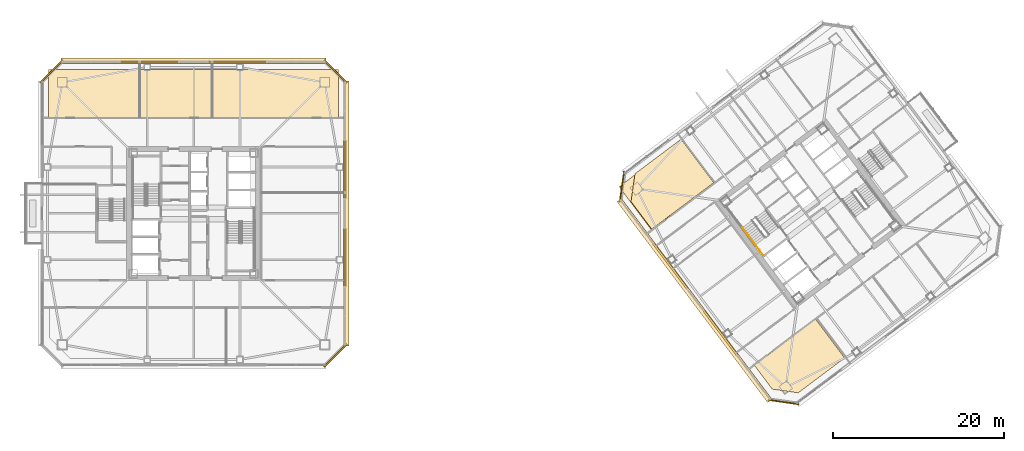
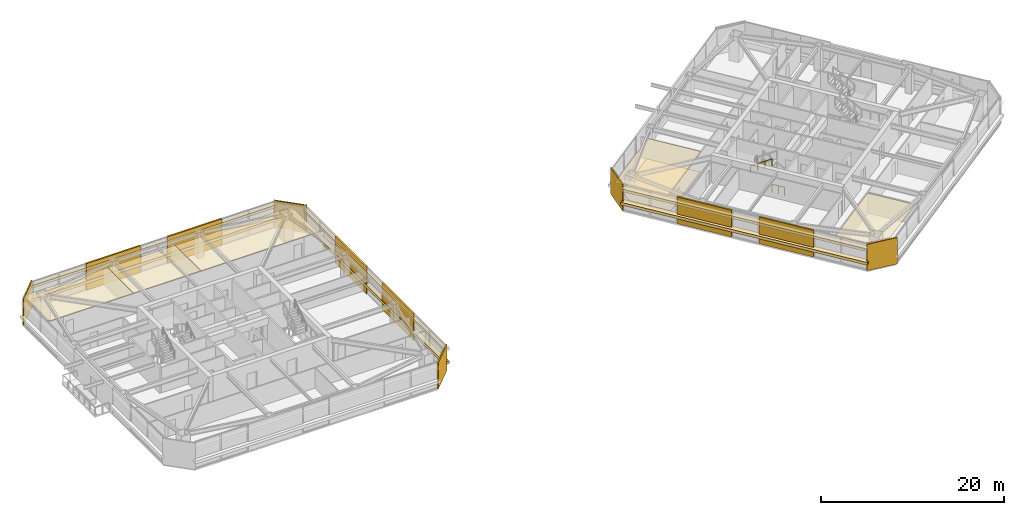
# One storey, part 40 of 43: 23 coverings, 2 railings.
"""IFC4 building model written with IfcOpenShell, lengths in metres."""

from ifc_helpers import new_model, si_unit, direction, frame, origin, origin_2d, place, context, subcontext, project, spatial, polyline, rectangle, outline, extrude, material, layer, layer_set, type_object, element, save


model = new_model("IFC4")

# Units and contexts
model_context = context("Model", 3, precision=1e-05, world=origin(), true_north=direction((0.0, 1.0)))
body_context = subcontext(model_context, "Body", "Model", "MODEL_VIEW")
ifc_project = project(units=[si_unit("LENGTHUNIT", "METRE"), si_unit("AREAUNIT", "SQUARE_METRE"), si_unit("VOLUMEUNIT", "CUBIC_METRE"), si_unit("PLANEANGLEUNIT", "RADIAN"), si_unit("MASSUNIT", "GRAM", prefix="KILO")], contexts=[model_context])

# Site, building, storey
site_placement = place(None, origin())
site = spatial("IfcSite", under=ifc_project, at=site_placement, CompositionType="ELEMENT")
building_placement = place(site_placement, origin())
building = spatial("IfcBuilding", under=site, at=building_placement, Name="Tashvorn Skyway Center", CompositionType="ELEMENT")
storey_placement = place(building_placement, frame((0.0, 0.0, 185.39990234375)))
storey = spatial("IfcBuildingStorey", under=building, at=storey_placement, Name="L50", CompositionType="ELEMENT", Elevation=185.39990234375)

# Coverings
ifc_material_1 = material(Name="Precast concrete C40/50", Category="concrete")
ifc_layer_1 = layer(ifc_material_1, 0.199951171875)
ifc_layer_set_1 = layer_set([ifc_layer_1], Name="Precast concrete C40/50")
covering_type_1 = type_object("IfcCoveringType", Name="COV-BRACE-CLAD", PredefinedType="CLADDING", material=ifc_layer_set_1)
for number, where, z_axis, x_axis, name in (
    (1, (36.873291015625, 49.679931640625, 0.0), (0.0, 0.0, 1.0), (1.0, 0.0, 0.0), "Tower 1 L50 North Unitised Curtain Wall Mega-Brace Cladding Band 1"),
    (2, (47.126708984375, 49.679931640625, 0.0), (0.0, 0.0, 1.0), (1.0, 0.0, 0.0), "Tower 1 L50 North Unitised Curtain Wall Mega-Brace Cladding Band 2"),
    (3, (59.679931640625, 37.126708984375, 0.0), (0.0, 0.0, 1.0), (0.0, -1.0, 0.0), "Tower 1 L50 East Unitised Curtain Wall Mega-Brace Cladding Band 1"),
    (4, (59.679931640625, 26.873291015625, 0.0), (0.0, 0.0, 1.0), (0.0, -1.0, 0.0), "Tower 1 L50 East Unitised Curtain Wall Mega-Brace Cladding Band 2"),
):
    element("IfcCovering", number, at=place(storey_placement, frame(where, z_axis=z_axis, x_axis=x_axis)), inside=storey, type_object=covering_type_1, Name=name, PredefinedType="CLADDING", context=body_context, shape_type="SweptSolid", body=[
        extrude(rectangle(XDim=6.83544921875, YDim=0.199951171875, at=origin_2d()), origin(), (0.0, 0.0, 1.0), 3.550048828125),
    ])
for number, where, z_axis, x_axis, name in (
    (5, (103.491943359375, 18.0439453125, 0.0), (0.0, 0.0, 1.0), (-0.600000004945, 0.799999996291, 0.0), "Tower 2 L50 West Unitised Curtain Wall Mega-Brace Cladding Band 1"),
    (6, (97.659912109375, 25.820068359375, 0.0), (0.0, 0.0, 1.0), (-0.600000004945, 0.799999996291, 0.0), "Tower 2 L50 West Unitised Curtain Wall Mega-Brace Cladding Band 2"),
):
    element("IfcCovering", number, at=place(storey_placement, frame(where, z_axis=z_axis, x_axis=x_axis)), inside=storey, type_object=covering_type_1, Name=name, PredefinedType="CLADDING", context=body_context, shape_type="SweptSolid", body=[
        extrude(rectangle(XDim=6.47998046875, YDim=0.199951171875, at=origin_2d()), origin(), (0.0, 0.0, 1.0), 3.550048828125),
    ])
ifc_material_2 = material(Name="Mineral-fibre acoustic ceiling tile on suspended grid")
ifc_layer_2 = layer(ifc_material_2, 0.02001953125)
ifc_layer_set_2 = layer_set([ifc_layer_2], Name="Mineral-fibre acoustic ceiling tile on suspended grid")
covering_type_2 = type_object("IfcCoveringType", Name="COV-CEIL-20", PredefinedType="CEILING", material=ifc_layer_set_2)
covering_1_placement = place(storey_placement, frame((0.0, 0.0, 2.703125)))
element("IfcCovering", 7, at=covering_1_placement, inside=storey, type_object=covering_type_2, Name="Tower 1 L50 Executive Study Lounge Acoustic Ceiling", PredefinedType="CEILING", context=body_context, shape_type="SweptSolid", body=[
    extrude(outline(polyline([(25.10009765625, 43.14990234375), (35.699951171875, 43.14990234375), (35.699951171875, 48.800048828125), (25.10009765625, 48.800048828125), (25.10009765625, 43.14990234375)])), origin(), (0.0, 0.0, 1.0), 0.02001953125),
])
covering_2_placement = place(storey_placement, frame((0.0, 0.0, 2.703125)))
element("IfcCovering", 8, at=covering_2_placement, inside=storey, type_object=covering_type_2, Name="Tower 1 L50 Executive Study Lounge Acoustic Ceiling", PredefinedType="CEILING", context=body_context, shape_type="SweptSolid", body=[
    extrude(outline(polyline([(35.699951171875, 43.14990234375), (44.199951171875, 43.14990234375), (44.199951171875, 48.800048828125), (35.699951171875, 48.800048828125), (35.699951171875, 43.14990234375)])), origin(), (0.0, 0.0, 1.0), 0.02001953125),
])
covering_3_placement = place(storey_placement, frame((0.0, 0.0, 2.703125)))
element("IfcCovering", 9, at=covering_3_placement, inside=storey, type_object=covering_type_2, Name="Tower 1 L50 Staff Fitness Club Acoustic Ceiling", PredefinedType="CEILING", context=body_context, shape_type="SweptSolid", body=[
    extrude(outline(polyline([(44.199951171875, 43.14990234375), (58.89990234375, 43.14990234375), (58.89990234375, 48.800048828125), (44.199951171875, 48.800048828125), (44.199951171875, 43.14990234375)])), origin(), (0.0, 0.0, 1.0), 0.02001953125),
])
covering_4_placement = place(storey_placement, frame((0.0, 0.0, 2.703125)))
element("IfcCovering", 10, at=covering_4_placement, inside=storey, type_object=covering_type_2, Name="Tower 2 L50 Gallery Showroom Acoustic Ceiling", PredefinedType="CEILING", context=body_context, shape_type="SweptSolid", body=[
    extrude(outline(polyline([(95.4580078125, 30.055908203125), (102.818115234375, 35.575927734375), (99.02001953125, 40.639892578125), (91.659912109375, 35.1201171875), (95.4580078125, 30.055908203125)])), origin(), (0.0, 0.0, 1.0), 0.02001953125),
])
covering_5_placement = place(storey_placement, frame((0.0, 0.0, 2.703125)))
element("IfcCovering", 11, at=covering_5_placement, inside=storey, type_object=covering_type_2, Name="Tower 2 L50 Gallery Showroom Acoustic Ceiling", PredefinedType="CEILING", context=body_context, shape_type="SweptSolid", body=[
    extrude(outline(polyline([(107.43994140625, 14.280029296875), (114.60791015625, 19.656005859375), (117.991943359375, 15.14404296875), (112.552001953125, 11.06396484375), (109.528076171875, 11.49609375), (107.43994140625, 14.280029296875)])), origin(), (0.0, 0.0, 1.0), 0.02001953125),
])
ifc_material_3 = material(Name="Polished Mojave desert-aggregate terrazzo and cover plate")
ifc_layer_3 = layer(ifc_material_3, 0.0400390625)
ifc_layer_set_3 = layer_set([ifc_layer_3], Name="Polished Mojave desert-aggregate terrazzo and cover plate")
covering_type_3 = type_object("IfcCoveringType", Name="COV-FLR-40", PredefinedType="FLOORING", material=ifc_layer_set_3)
covering_6_placement = place(storey_placement, origin())
element("IfcCovering", 12, at=covering_6_placement, inside=storey, type_object=covering_type_3, Name="Tower 2 L50 Gallery Showroom Finish Flooring", PredefinedType="FLOORING", context=body_context, shape_type="SweptSolid", body=[
    extrude(outline(polyline([(102.7060546875, 35.592041015625), (95.47412109375, 30.16796875), (93.055908203125, 33.39208984375), (93.52001953125, 36.639892578125), (98.89599609375, 40.672119140625), (102.7060546875, 35.592041015625)])), origin(), (0.0, 0.0, 1.0), 0.0400390625),
])
ifc_material_4 = material(Name="Perforated ceramic-coated bronze aluminium solar screen", Category="aluminium")
ifc_layer_4 = layer(ifc_material_4, 0.85009765625)
ifc_layer_set_4 = layer_set([ifc_layer_4], Name="Perforated ceramic-coated bronze aluminium solar screen")
covering_type_4 = type_object("IfcCoveringType", Name="COV-SOLAR-BAND", PredefinedType="CLADDING", material=ifc_layer_set_4)
for number, where, z_axis, x_axis, name in (
    (13, (42.0, 49.820068359375, 0.919921875), (0.0, 0.0, 1.0), (1.0, 0.0, 0.0), "L50 Perforated Ceramic-Metal Solar Screen Louvre Band North 1"),
    (14, (42.0, 49.820068359375, 2.72021484375), (0.0, 0.0, 1.0), (1.0, 0.0, 0.0), "L50 Perforated Ceramic-Metal Solar Screen Louvre Band North 2"),
    (15, (59.820068359375, 32.0, 0.919921875), (0.0, 0.0, 1.0), (0.0, -1.0, 0.0), "L50 Perforated Ceramic-Metal Solar Screen Louvre Band East 1"),
    (16, (59.820068359375, 32.0, 2.72021484375), (0.0, 0.0, 1.0), (0.0, -1.0, 0.0), "L50 Perforated Ceramic-Metal Solar Screen Louvre Band East 2"),
):
    element("IfcCovering", number, at=place(storey_placement, frame(where, z_axis=z_axis, x_axis=x_axis)), inside=storey, type_object=covering_type_4, Name=name, PredefinedType="CLADDING", context=body_context, shape_type="SweptSolid", body=[
        extrude(rectangle(XDim=30.8798828125, YDim=0.639892578125, at=origin_2d()), origin(), (0.0, 0.0, 1.0), 0.360107421875),
    ])
for number, where, z_axis, x_axis, name in (
    (17, (100.464111328125, 21.847900390625, 0.919921875), (0.0, 0.0, 1.0), (-0.600000004945, 0.799999996291, 0.0), "L50 Perforated Ceramic-Metal Solar Screen Louvre Band West 1"),
    (18, (100.464111328125, 21.847900390625, 2.72021484375), (0.0, 0.0, 1.0), (-0.600000004945, 0.799999996291, 0.0), "L50 Perforated Ceramic-Metal Solar Screen Louvre Band West 2"),
):
    element("IfcCovering", number, at=place(storey_placement, frame(where, z_axis=z_axis, x_axis=x_axis)), inside=storey, type_object=covering_type_4, Name=name, PredefinedType="CLADDING", context=body_context, shape_type="SweptSolid", body=[
        extrude(rectangle(XDim=29.280029296875, YDim=0.639892578125, at=origin_2d()), origin(), (0.0, 0.0, 1.0), 0.360107421875),
    ])
ifc_layer_5 = layer(ifc_material_1, 0.35009765625)
ifc_layer_set_5 = layer_set([ifc_layer_5], Name="Precast concrete C40/50")
covering_type_5 = type_object("IfcCoveringType", Name="COV-STONE-TRIM", PredefinedType="CLADDING", material=ifc_layer_set_5)
for number, where, z_axis, x_axis, name in (
    (19, (25.429931640625, 48.570068359375, 0.02001953125), (0.0, 0.0, 1.0), (-0.707106781187, -0.707106781187, 0.0), "Tower 1 L50 NW Mojave Limestone Corner Quoin"),
    (20, (58.570068359375, 48.570068359375, 0.02001953125), (0.0, 0.0, 1.0), (0.707106781187, -0.707106781187, 0.0), "Tower 1 L50 NE Mojave Limestone Corner Quoin"),
    (21, (58.570068359375, 15.429931640625, 0.02001953125), (0.0, 0.0, 1.0), (0.707106781187, 0.707106781187, 0.0), "Tower 1 L50 SE Mojave Limestone Corner Quoin"),
):
    element("IfcCovering", number, at=place(storey_placement, frame(where, z_axis=z_axis, x_axis=x_axis)), inside=storey, type_object=covering_type_5, Name=name, PredefinedType="CLADDING", context=body_context, shape_type="SweptSolid", body=[
        extrude(rectangle(XDim=3.695556640625, YDim=0.139892578125, at=origin_2d()), origin(), (0.0, 0.0, 1.0), 3.510009765625),
    ])
for number, where, z_axis, x_axis, name in (
    (22, (110.85595703125, 9.991943359375, 0.02001953125), (0.0, 0.0, 1.0), (-0.989949494535, 0.141421350118, 0.0), "Tower 2 L50 SW Mojave Limestone Corner Quoin"),
    (23, (91.991943359375, 35.14404296875, 0.02001953125), (0.0, 0.0, 1.0), (-0.141421350118, -0.989949494535, 0.0), "Tower 2 L50 NW Mojave Limestone Corner Quoin"),
):
    element("IfcCovering", number, at=place(storey_placement, frame(where, z_axis=z_axis, x_axis=x_axis)), inside=storey, type_object=covering_type_5, Name=name, PredefinedType="CLADDING", context=body_context, shape_type="SweptSolid", body=[
        extrude(rectangle(XDim=3.55419921875, YDim=0.139892578125, at=origin_2d()), origin(), (0.0, 0.0, 1.0), 3.510009765625),
    ])

# Railings
ifc_material_5 = material(Name="Brushed stainless steel 316", Category="steel")
railing_type_1 = type_object("IfcRailingType", Name="RAIL-HAND-920", PredefinedType="HANDRAIL", material=ifc_material_5)
railing_1_placement = place(storey_placement, frame((106.072021484375, 30.35400390625, 1.95263671875)))
element("IfcRailing", 24, at=railing_1_placement, inside=storey, type_object=railing_type_1, Name="L50 ST-T2-1 stair handrail 2", PredefinedType="HANDRAIL", context=body_context, shape_type="SweptSolid", body=[
    extrude(rectangle(XDim=0.048095703125, YDim=0.048095703125, at=origin_2d()), frame((0.0, 0.0, 0.8759765625), z_axis=(0.506740800098, -0.675708949977, 0.535379469569), x_axis=(0.800023250257, 0.599968998406, 0.0)), (0.0, 0.0, 1.0), 2.983642578125),
    extrude(rectangle(XDim=0.0419921875, YDim=0.0419921875, at=origin_2d()), origin(), (0.0, 0.0, 1.0), 0.851806640625),
    extrude(rectangle(XDim=0.0419921875, YDim=0.0419921875, at=origin_2d()), frame((0.50390625, -0.672119140625, 0.532470703125)), (0.0, 0.0, 1.0), 0.851806640625),
    extrude(rectangle(XDim=0.0419921875, YDim=0.0419921875, at=origin_2d()), frame((1.008056640625, -1.343994140625, 1.06494140625)), (0.0, 0.0, 1.0), 0.851806640625),
    extrude(rectangle(XDim=0.0419921875, YDim=0.0419921875, at=origin_2d()), frame((1.511962890625, -2.01611328125, 1.597412109375)), (0.0, 0.0, 1.0), 0.851806640625),
])
ifc_material_6 = material(Name="Painted galvanized steel S355", Category="steel")
railing_type_2 = type_object("IfcRailingType", Name="RAIL-STGUARD-1100", PredefinedType="GUARDRAIL", material=ifc_material_6)
railing_2_placement = place(storey_placement, frame((108.49609375, 27.1220703125, 0.0)))
element("IfcRailing", 25, at=railing_2_placement, inside=storey, type_object=railing_type_2, Name="L50 ST-T2-1 stair guard 6", PredefinedType="GUARDRAIL", context=body_context, shape_type="SweptSolid", body=[
    extrude(rectangle(XDim=0.048095703125, YDim=0.048095703125, at=origin_2d()), frame((0.0, 0.0, 1.076171875), z_axis=(-0.600102796382, 0.799922892393, 0.0), x_axis=(-0.799922892393, -0.600102796382, 0.0)), (0.0, 0.0, 1.0), 1.52001953125),
    extrude(rectangle(XDim=0.0419921875, YDim=0.0419921875, at=origin_2d()), origin(), (0.0, 0.0, 1.0), 1.052001953125),
    extrude(rectangle(XDim=0.0419921875, YDim=0.0419921875, at=origin_2d()), frame((-0.4560546875, 0.60791015625, 0.0)), (0.0, 0.0, 1.0), 1.052001953125),
    extrude(rectangle(XDim=0.0419921875, YDim=0.0419921875, at=origin_2d()), frame((-0.912109375, 1.2158203125, 0.0)), (0.0, 0.0, 1.0), 1.052001953125),
])

save(model, "model.ifc")
